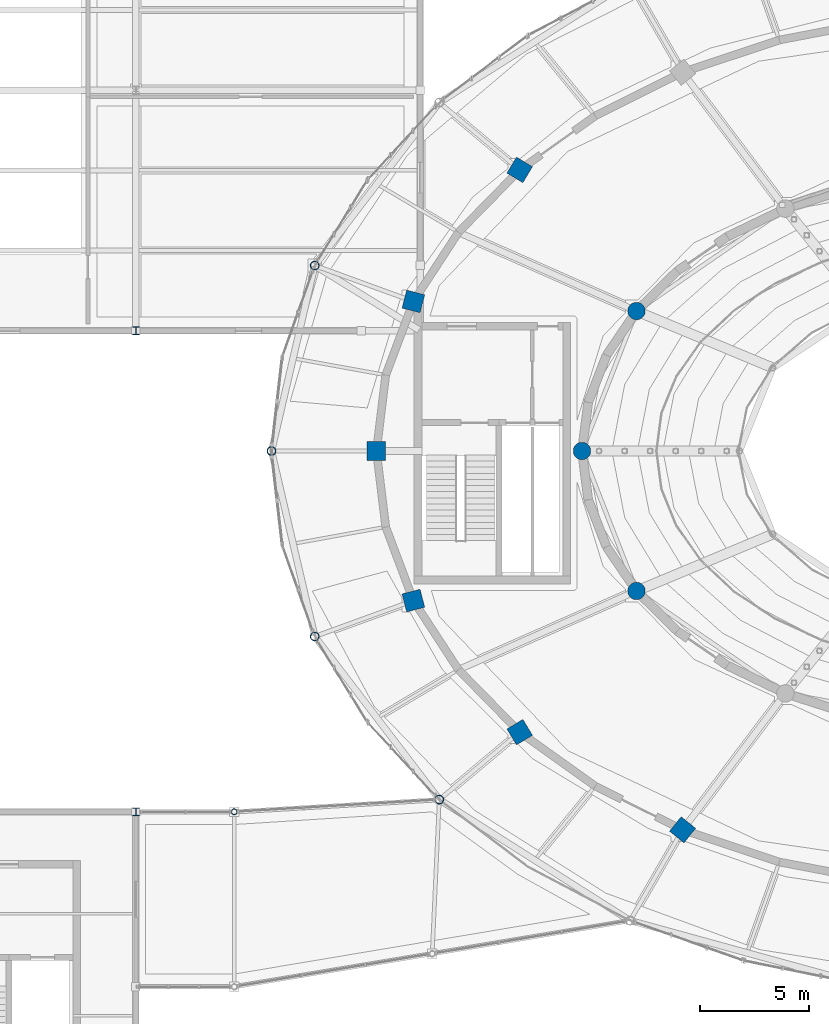
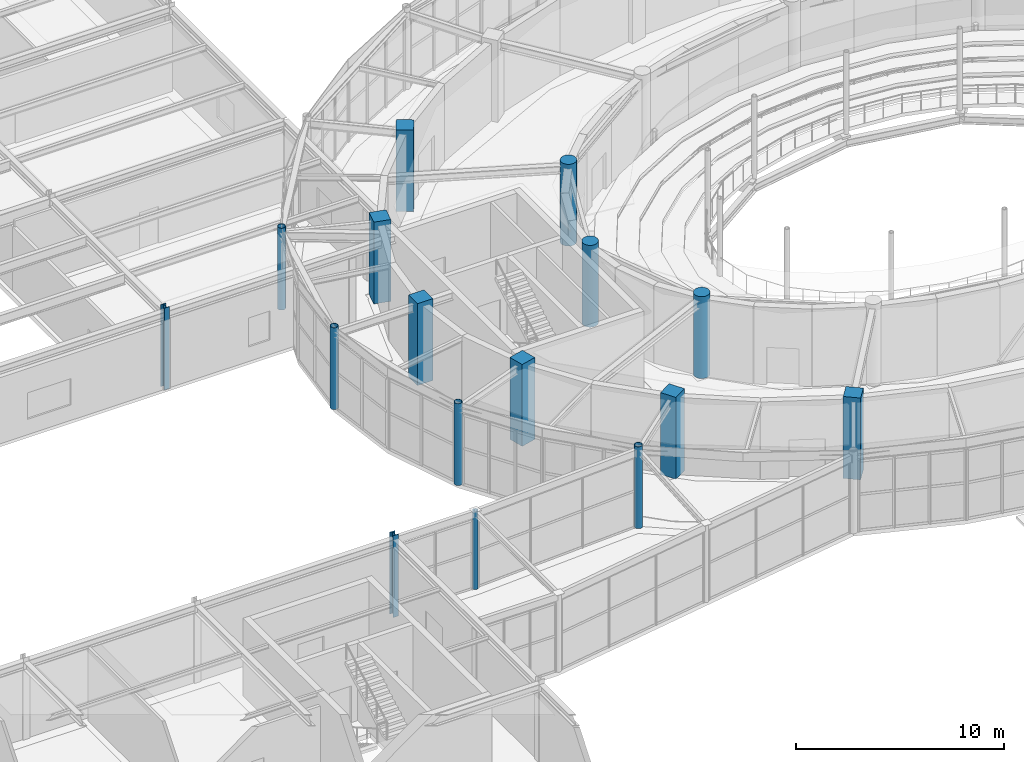
# One storey, part 4 of 100: 16 columns.
"""IFC4 building model written with IfcOpenShell, lengths in metres."""

from ifc_helpers import new_model, si_unit, direction, frame, origin, origin_2d, place, context, subcontext, project, spatial, rectangle, circle, hollow_circle, i_section, extrude, material, material_profile, profile_set, type_object, element, save


model = new_model("IFC4")

# Units and contexts
model_context = context("Model", 3, precision=1e-05, world=origin(), true_north=direction((0.0, 1.0)))
body_context = subcontext(model_context, "Body", "Model", "MODEL_VIEW")
ifc_project = project(units=[si_unit("LENGTHUNIT", "METRE"), si_unit("AREAUNIT", "SQUARE_METRE"), si_unit("VOLUMEUNIT", "CUBIC_METRE"), si_unit("PLANEANGLEUNIT", "RADIAN"), si_unit("MASSUNIT", "GRAM", prefix="KILO")], contexts=[model_context])

# Site, building, storey
site_placement = place(None, origin())
site = spatial("IfcSite", under=ifc_project, at=site_placement, CompositionType="ELEMENT")
building_placement = place(site_placement, origin())
building = spatial("IfcBuilding", under=site, at=building_placement, Name="Tarnveldt Headland Concert Hall", CompositionType="ELEMENT")
storey_placement = place(building_placement, frame((0.0, 0.0, 4.800048828125)))
storey = spatial("IfcBuildingStorey", under=building, at=storey_placement, Name="L01", CompositionType="ELEMENT", Elevation=4.800048828125)

# Columns
ifc_material_1 = material(Name="Concrete C40/50", Category="concrete")
ifc_material_profile_1 = material_profile(ifc_material_1, rectangle(XDim=0.85009765625, YDim=0.85009765625, at=origin_2d()), Name="RC 850x850", Category="concrete")
ifc_profile_set_1 = profile_set([ifc_material_profile_1], Name="Concrete C40/50")
column_type_1 = type_object("IfcColumnType", Name="CC-850", PredefinedType="COLUMN", material=ifc_profile_set_1)
for number, where, z_axis, x_axis, name in (
    (1, (62.05078125, 67.355712890625, 0.0), (0.0, 0.0, 1.0), (-0.85770617722, 0.514140169175, 0.0), "Column V2DC08 L01"),
    (2, (57.188720703125, 61.34033203125, 0.0), (0.0, 0.0, 1.0), (-0.967841021032, 0.251562632376, 0.0), "Column V2DC09 L01"),
    (3, (55.5, 54.5, 0.0), (0.0, 0.0, 1.0), (-1.0, 0.0, 0.0), "Column V2DC10 L01"),
    (4, (57.188720703125, 47.65966796875, 0.0), (0.0, 0.0, 1.0), (-0.967841021032, -0.251562632376, 0.0), "Column V2DC11 L01"),
    (5, (62.05078125, 41.644287109375, 0.0), (0.0, 0.0, 1.0), (-0.85770617722, -0.514140169175, 0.0), "Column V2DC12 L01"),
    (6, (69.5, 37.179443359375, 0.0), (0.0, 0.0, 1.0), (-0.628641963719, -0.777694851116, 0.0), "Column V2DC13 L01"),
):
    element("IfcColumn", number, at=place(storey_placement, frame(where, z_axis=z_axis, x_axis=x_axis)), inside=storey, type_object=column_type_1, Name=name, PredefinedType="COLUMN", context=body_context, shape_type="SweptSolid", body=[
        extrude(rectangle(XDim=0.85009765625, YDim=0.85009765625, at=origin_2d()), origin(), (0.0, 0.0, 1.0), 4.800048828125),
    ])
ifc_material_profile_2 = material_profile(ifc_material_1, circle(Radius=0.39990234375, at=origin_2d()), Name="RC D800", Category="concrete")
ifc_profile_set_2 = profile_set([ifc_material_profile_2], Name="Concrete C40/50")
column_type_2 = type_object("IfcColumnType", Name="DC-800", PredefinedType="COLUMN", material=ifc_profile_set_2)
for number, where, z_axis, x_axis, name in (
    (7, (67.391845703125, 60.89990234375, 0.0), (0.0, 0.0, 1.0), (-0.929326043111, 0.369260213935, 0.0), "Column V2IC06 L01"),
    (8, (64.89990234375, 54.5, 0.0), (0.0, 0.0, 1.0), (-1.0, 0.0, 0.0), "Column V2IC07 L01"),
    (9, (67.391845703125, 48.10009765625, 0.0), (0.0, 0.0, 1.0), (-0.929326043111, -0.369260213935, 0.0), "Column V2IC08 L01"),
):
    element("IfcColumn", number, at=place(storey_placement, frame(where, z_axis=z_axis, x_axis=x_axis)), inside=storey, type_object=column_type_2, Name=name, PredefinedType="COLUMN", context=body_context, shape_type="SweptSolid", body=[
        extrude(circle(Radius=0.39990234375, at=origin_2d()), origin(), (0.0, 0.0, 1.0), 4.800048828125),
    ])
ifc_material_2 = material(Name="Steel S355", Category="steel")
ifc_material_profile_3 = material_profile(ifc_material_2, hollow_circle(Radius=0.136474609375, WallThickness=0.01611328125, at=origin_2d()), Name="CHS 273x16", Category="steel")
ifc_profile_set_3 = profile_set([ifc_material_profile_3], Name="Steel S355")
column_type_3 = type_object("IfcColumnType", Name="SC-CHS273", PredefinedType="COLUMN", material=ifc_profile_set_3)
column_1_placement = place(storey_placement, frame((49.0, 38.0, 0.0), z_axis=(0.0, 0.0, 1.0), x_axis=(1.0, 0.0, 0.0)))
element("IfcColumn", 10, at=column_1_placement, inside=storey, type_object=column_type_3, Name="Column V4LK02 L01", PredefinedType="COLUMN", context=body_context, shape_type="SweptSolid", body=[
    extrude(hollow_circle(Radius=0.136474609375, WallThickness=0.01611328125, at=origin_2d()), origin(), (0.0, 0.0, 1.0), 4.5849609375),
])
ifc_material_profile_4 = material_profile(ifc_material_2, hollow_circle(Radius=0.203125, WallThickness=0.02490234375, at=origin_2d()), Name="CHS 406.4x25", Category="steel")
ifc_profile_set_4 = profile_set([ifc_material_profile_4], Name="Steel S355")
column_type_4 = type_object("IfcColumnType", Name="SC-CHS406", PredefinedType="COLUMN", material=ifc_profile_set_4)
for number, where, z_axis, x_axis, name in (
    (11, (52.677978515625, 62.982177734375, 0.0), (0.0, 0.0, 1.0), (-0.964141737836, 0.265387847052, 0.0), "Column V1C09 L01"),
    (12, (50.699951171875, 54.5, 0.0), (0.0, 0.0, 1.0), (-1.0, 0.0, 0.0), "Column V1C10 L01"),
    (13, (52.677978515625, 46.017822265625, 0.0), (0.0, 0.0, 1.0), (-0.964141737836, -0.265387847052, 0.0), "Column V1C11 L01"),
    (14, (58.373779296875, 38.558837890625, 0.0), (0.0, 0.0, 1.0), (-0.84442143206, -0.535679423796, 0.0), "Column V1C12 L01"),
):
    element("IfcColumn", number, at=place(storey_placement, frame(where, z_axis=z_axis, x_axis=x_axis)), inside=storey, type_object=column_type_4, Name=name, PredefinedType="COLUMN", context=body_context, shape_type="SweptSolid", body=[
        extrude(hollow_circle(Radius=0.203125, WallThickness=0.02490234375, at=origin_2d()), origin(), (0.0, 0.0, 1.0), 4.800048828125),
    ])
ifc_material_profile_5 = material_profile(ifc_material_2, i_section(OverallWidth=0.300048828125, OverallDepth=0.35009765625, WebThickness=0.010009765625, FlangeThickness=0.017578125, FilletRadius=0.027099609375, at=origin_2d()), Name="HEA360", Category="steel")
ifc_profile_set_5 = profile_set([ifc_material_profile_5], Name="Steel S355")
column_type_5 = type_object("IfcColumnType", Name="SC-HEA360", PredefinedType="COLUMN", material=ifc_profile_set_5)
column_2_placement = place(storey_placement, frame((44.5, 38.0, 0.0), z_axis=(0.0, 0.0, 1.0), x_axis=(1.0, 0.0, 0.0)))
element("IfcColumn", 15, at=column_2_placement, inside=storey, type_object=column_type_5, Name="Column V4C08 L01", PredefinedType="COLUMN", context=body_context, shape_type="SweptSolid", body=[
    extrude(i_section(OverallWidth=0.300048828125, OverallDepth=0.35009765625, WebThickness=0.010009765625, FlangeThickness=0.017578125, FilletRadius=0.027099609375, at=origin_2d()), origin(), (0.0, 0.0, 1.0), 4.800048828125),
])
ifc_material_profile_6 = material_profile(ifc_material_2, i_section(OverallWidth=0.300048828125, OverallDepth=0.360107421875, WebThickness=0.012451171875, FlangeThickness=0.0224609375, FilletRadius=0.027099609375, at=origin_2d()), Name="HEB360", Category="steel")
ifc_profile_set_6 = profile_set([ifc_material_profile_6], Name="Steel S355")
column_type_6 = type_object("IfcColumnType", Name="SC-HEB360", PredefinedType="COLUMN", material=ifc_profile_set_6)
column_3_placement = place(storey_placement, frame((44.5, 60.0, 0.0), z_axis=(0.0, 0.0, 1.0), x_axis=(1.0, 0.0, 0.0)))
element("IfcColumn", 16, at=column_3_placement, inside=storey, type_object=column_type_6, Name="Column V5C16 L01", PredefinedType="COLUMN", context=body_context, shape_type="SweptSolid", body=[
    extrude(i_section(OverallWidth=0.300048828125, OverallDepth=0.360107421875, WebThickness=0.012451171875, FlangeThickness=0.0224609375, FilletRadius=0.027099609375, at=origin_2d()), origin(), (0.0, 0.0, 1.0), 4.800048828125),
])

save(model, "model.ifc")
